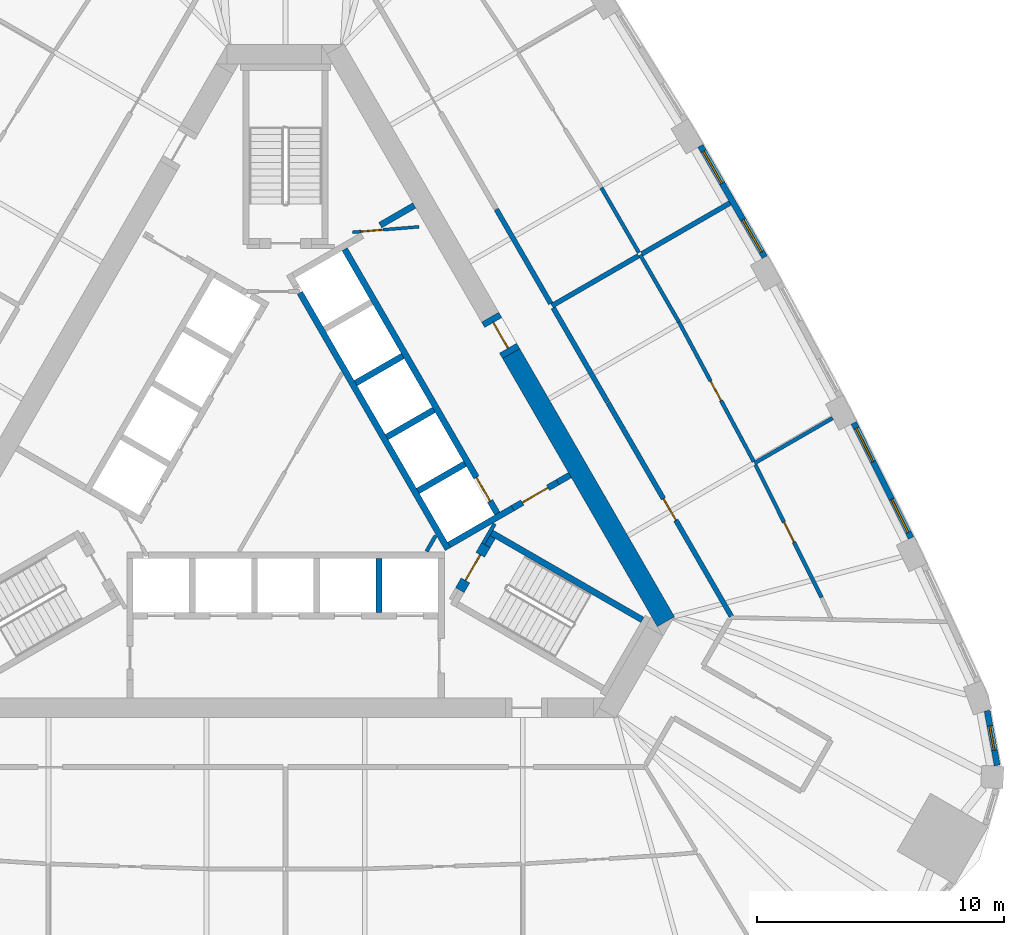
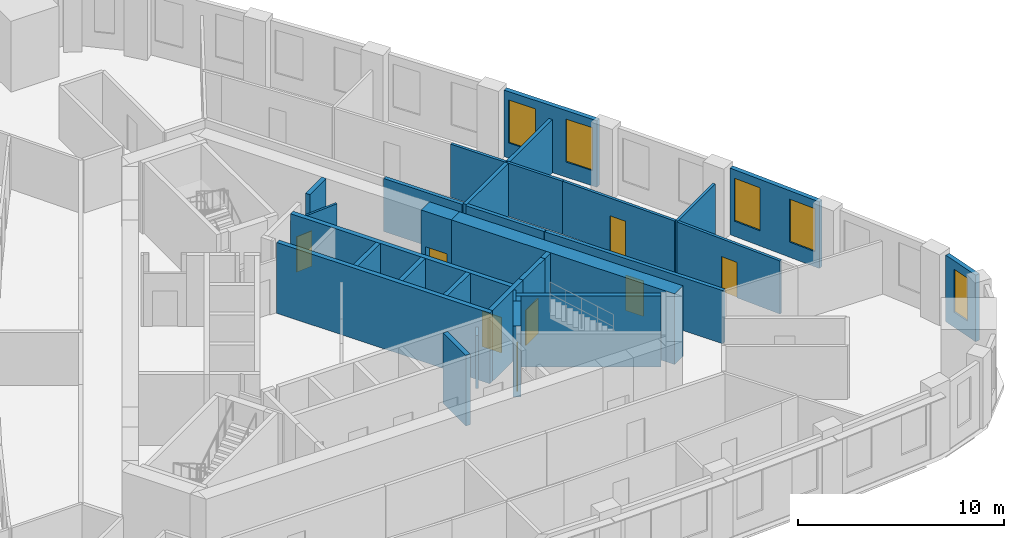
# One storey, part 7 of 10: 31 walls, 8 doors, 5 windows, 13 openings.
"""IFC4 building model written with IfcOpenShell, lengths in metres."""

import ifcopenshell
import ifcopenshell.guid

model = None  # the IFC model being written
_history = None  # IfcOwnerHistory: only IFC2X3 demands one
_inside = {}  # id of a spatial element -> (the spatial element, [elements in it])
_under = {}  # id of a project, library or spatial element -> (it, [spatial elements below it])
_declared = {}  # id of a project -> (the project, [libraries it declares])
_typed = {}  # id of a type object -> (the type object, [elements of that type])
_made_of = {}  # id of a material, layer set ... -> (it, [elements and type objects made of it])


def new_model(schema):
    """Start an empty IFC model of exactly this schema.

    Asked for "IFC4X3", IfcOpenShell would pick the latest addendum, in which some entities
    have other attributes; the version numbers below select the first issue.
    IFC2X3 requires an IfcOwnerHistory on every rooted entity: one is made here for all.
    """
    global model, _history
    if schema == "IFC4X3":
        model = ifcopenshell.file(schema_version=(4, 3, 0, 0))
    else:
        model = ifcopenshell.file(schema=schema)
    _inside.clear()
    _under.clear()
    _declared.clear()
    _typed.clear()
    _made_of.clear()
    _history = None
    if model.schema == "IFC2X3":
        org = make("IfcOrganization", Name="unknown")
        user = make(
            "IfcPersonAndOrganization",
            ThePerson=make("IfcPerson", FamilyName="unknown"),
            TheOrganization=org,
        )
        app = make(
            "IfcApplication",
            ApplicationDeveloper=org,
            Version="unknown",
            ApplicationFullName="unknown",
            ApplicationIdentifier="unknown",
        )
        _history = make(
            "IfcOwnerHistory",
            OwningUser=user,
            OwningApplication=app,
            ChangeAction="ADDED",
            CreationDate=0,
        )
    return model


def make(cls, **values):
    """One entity of the class cls with the attributes given. An attribute that is None is left unset."""
    return model.create_entity(
        cls, **{name: value for name, value in values.items() if value is not None}
    )


def rooted(cls, **values):
    """An entity with a GlobalId (a new one), such as an element, a storey or a relation."""
    return make(cls, GlobalId=ifcopenshell.guid.new(), OwnerHistory=_history, **values)


def si_unit(unit_type, name, prefix=None):
    """IfcSIUnit, for example si_unit("LENGTHUNIT", "METRE", prefix="MILLI")."""
    return make("IfcSIUnit", UnitType=unit_type, Prefix=prefix, Name=name)


def assignment(units):
    """IfcUnitAssignment: the units of a project."""
    return None if units is None else make("IfcUnitAssignment", Units=units)


def point(xyz):
    """IfcCartesianPoint."""
    return None if xyz is None else make("IfcCartesianPoint", Coordinates=xyz)


def direction(xyz):
    """IfcDirection."""
    return None if xyz is None else make("IfcDirection", DirectionRatios=xyz)


def frame(location, z_axis=None, x_axis=None):
    """IfcAxis2Placement3D, a coordinate frame: its origin and axes. An axis left out is left unset."""
    return make(
        "IfcAxis2Placement3D",
        Location=point(location),
        Axis=direction(z_axis),
        RefDirection=direction(x_axis),
    )


def frame_2d(location, x_axis=None):
    """IfcAxis2Placement2D, a coordinate frame in the plane: its origin and x axis."""
    return make(
        "IfcAxis2Placement2D", Location=point(location), RefDirection=direction(x_axis)
    )


def origin():
    """The frame at (0, 0, 0) with its axes left unset."""
    return frame((0.0, 0.0, 0.0))


def place(relative_to, where):
    """IfcLocalPlacement: puts the frame where relative to a parent placement (None: the world)."""
    return make(
        "IfcLocalPlacement", PlacementRelTo=relative_to, RelativePlacement=where
    )


def context(
    kind, dimensions, precision=None, world=None, true_north=None, identifier=None
):
    """IfcGeometricRepresentationContext, for example the 3D "Model" context."""
    return make(
        "IfcGeometricRepresentationContext",
        ContextIdentifier=identifier,
        ContextType=kind,
        CoordinateSpaceDimension=dimensions,
        Precision=precision,
        WorldCoordinateSystem=world,
        TrueNorth=true_north,
    )


def subcontext(parent, identifier, kind, view, scale=None):
    """IfcGeometricRepresentationSubContext, for example "Body" below "Model"."""
    return make(
        "IfcGeometricRepresentationSubContext",
        ContextIdentifier=identifier,
        ContextType=kind,
        ParentContext=parent,
        TargetScale=scale,
        TargetView=view,
    )


def project(units=None, contexts=None):
    """IfcProject with its units and contexts."""
    return rooted(
        "IfcProject",
        Name="project",
        RepresentationContexts=contexts,
        UnitsInContext=assignment(units),
    )


def spatial(cls, under=None, at=None, **own):
    """A site, building, storey or space (cls), placed at a placement, below another one or the project."""
    s = rooted(cls, ObjectPlacement=at, **own)
    if under is not None:
        _under.setdefault(under.id(), (under, []))[1].append(s)
    return s


def profile(cls, at=None, kind="AREA", **sizes):
    """A parametric profile (cls). Its sizes go by their IFC names, for example OverallWidth=200.0."""
    return make(cls, ProfileType=kind, Position=at, **sizes)


def rectangle(**sizes):
    """IfcRectangleProfileDef."""
    return profile("IfcRectangleProfileDef", **sizes)


def extrude(swept, where, along, depth):
    """IfcExtrudedAreaSolid: the profile swept, set in the frame where, extruded along a direction by depth."""
    return make(
        "IfcExtrudedAreaSolid",
        SweptArea=swept,
        Position=where,
        ExtrudedDirection=direction(along),
        Depth=depth,
    )


def shape(context_of_items, identifier, shape_type, items):
    """IfcShapeRepresentation: the items that make up one representation, for example the "Body"."""
    return make(
        "IfcShapeRepresentation",
        ContextOfItems=context_of_items,
        RepresentationIdentifier=identifier,
        RepresentationType=shape_type,
        Items=items,
    )


def material(Name=None, Category=None):
    """IfcMaterial."""
    return make("IfcMaterial", Name=Name, Category=Category)


def layer(
    of_material, thickness, ventilated=None, Name=None, Category=None, Priority=None
):
    """IfcMaterialLayer: one layer of a wall or slab, of a material (None: an air gap)."""
    return make(
        "IfcMaterialLayer",
        Material=of_material,
        LayerThickness=thickness,
        IsVentilated=ventilated,
        Name=Name,
        Category=Category,
        Priority=Priority,
    )


def layer_set(layers, Name=None):
    """IfcMaterialLayerSet."""
    return make("IfcMaterialLayerSet", MaterialLayers=layers, LayerSetName=Name)


def made_of(thing, what):
    """Note that an element or type object is made of a material, layer set ...; save() writes the relation."""
    if what is not None:
        _made_of.setdefault(what.id(), (what, []))[1].append(thing)
    return thing


def type_object(cls, material=None, **own):
    """A type object (cls), such as IfcWallType, which elements share."""
    return made_of(rooted(cls, **own), material)


def element(
    cls,
    number,
    at=None,
    inside=None,
    cuts=None,
    type_object=None,
    material=None,
    context=None,
    identifier="Body",
    shape_type=None,
    held_by="IfcProductDefinitionShape",
    body=None,
    shapes=None,
    **own,
):
    """One element of the class cls, such as IfcWall. Its Tag is "e" and its number.

    at: its placement. inside: the storey or other place that contains it. cuts: it is an
    opening in that element (IfcRelVoidsElement). A single representation is given by context,
    identifier, shape_type and body (its items); several are given by shapes. held_by: the class
    of the entity that holds the representations. save() writes the other relations.
    """
    e = rooted(cls, Tag="e%d" % number, ObjectPlacement=at, **own)
    if body is not None:
        shapes = [shape(context, identifier, shape_type, body)]
    if shapes is not None:
        e.Representation = make(held_by, Representations=shapes)
    if inside is not None:
        _inside.setdefault(inside.id(), (inside, []))[1].append(e)
    if cuts is not None:
        rooted(
            "IfcRelVoidsElement", RelatingBuildingElement=cuts, RelatedOpeningElement=e
        )
    if type_object is not None:
        _typed.setdefault(type_object.id(), (type_object, []))[1].append(e)
    return made_of(e, material)


def fill(opening, filler):
    """IfcRelFillsElement: the door or window that sits in an opening."""
    return rooted(
        "IfcRelFillsElement",
        RelatingOpeningElement=opening,
        RelatedBuildingElement=filler,
    )


def aggregate(whole, parts):
    """IfcRelAggregates: a whole, such as a stair, and the parts it consists of."""
    return rooted("IfcRelAggregates", RelatingObject=whole, RelatedObjects=parts)


def save(model, path):
    """Write the relations noted so far, then the file.

    IfcRelAggregates (storeys below a building ...), IfcRelContainedInSpatialStructure (elements
    in a storey), IfcRelDefinesByType, IfcRelAssociatesMaterial and IfcRelDeclares: one each for
    every whole, place, type object, material and project.
    """
    for whole, parts in _under.values():
        aggregate(whole, parts)
    for where, things in _inside.values():
        rooted(
            "IfcRelContainedInSpatialStructure",
            RelatedElements=things,
            RelatingStructure=where,
        )
    for kind, things in _typed.values():
        rooted("IfcRelDefinesByType", RelatedObjects=things, RelatingType=kind)
    for what, things in _made_of.values():
        rooted("IfcRelAssociatesMaterial", RelatedObjects=things, RelatingMaterial=what)
    for by, libraries in _declared.values():
        rooted("IfcRelDeclares", RelatingContext=by, RelatedDefinitions=libraries)
    model.write(path)


model = new_model("IFC4")

# Units and contexts
model_context = context("Model", 3, precision=1e-05, world=origin(), true_north=direction((0.0, 1.0)))
body_context = subcontext(model_context, "Body", "Model", "MODEL_VIEW")
ifc_project = project(units=[si_unit("LENGTHUNIT", "METRE"), si_unit("AREAUNIT", "SQUARE_METRE"), si_unit("VOLUMEUNIT", "CUBIC_METRE"), si_unit("PLANEANGLEUNIT", "RADIAN"), si_unit("MASSUNIT", "GRAM", prefix="KILO")], contexts=[model_context])

# Site, building, storey
site_placement = place(None, origin())
site = spatial("IfcSite", under=ifc_project, at=site_placement, CompositionType="ELEMENT")
building_placement = place(site_placement, origin())
building = spatial("IfcBuilding", under=site, at=building_placement, Name="Mestral Congress Tower", CompositionType="ELEMENT")
storey_placement = place(building_placement, frame((0.0, 0.0, 158.39990234375)))
storey = spatial("IfcBuildingStorey", under=building, at=storey_placement, Name="L37", CompositionType="ELEMENT", Elevation=158.39990234375)

# Wall
ifc_material_1 = material(Name="Fire-rated board partition")
ifc_layer_1 = layer(ifc_material_1, 0.14990234375)
ifc_layer_set_1 = layer_set([ifc_layer_1], Name="Fire-rated board partition")
wall_type_1 = type_object("IfcWallType", Name="Core partition 150", PredefinedType="PARTITIONING", material=ifc_layer_set_1)
wall_1_placement = place(storey_placement, frame((5.704833984375, -3.718017578125, 0.0), z_axis=(0.0, 0.0, 1.0), x_axis=(0.499962090823, 0.866047289552, 0.0)))
element("IfcWall", 1, at=wall_1_placement, inside=storey, type_object=wall_type_1, Name="L37 core wall", PredefinedType="PARTITIONING", context=body_context, shape_type="SweptSolid", body=[
    extrude(rectangle(XDim=0.73486328125, YDim=0.14990234375, at=frame_2d((0.367431640625, 0.0))), origin(), (0.0, 0.0, 1.0), 3.150146484375),
])

# Wall, opening, door
ifc_layer_2 = layer(ifc_material_1, 0.1201171875)
ifc_layer_set_2 = layer_set([ifc_layer_2], Name="Fire-rated board partition")
wall_type_2 = type_object("IfcWallType", Name="Core partition 150 door-wall 120", PredefinedType="PARTITIONING", material=ifc_layer_set_2)
wall_2_placement = place(storey_placement, frame((5.3984375, 9.418701171875, 0.0), z_axis=(0.0, 0.0, 1.0), x_axis=(-0.996653416376, -0.081743303248, 0.0)))
wall_2 = element("IfcWall", 2, at=wall_2_placement, inside=storey, type_object=wall_type_2, Name="L37 door wall", PredefinedType="PARTITIONING", context=body_context, shape_type="SweptSolid", body=[
    extrude(rectangle(XDim=2.699951171875, YDim=0.119873046875, at=frame_2d((1.35009765625, 0.0))), origin(), (0.0, 0.0, 1.0), 3.150146484375),
])
opening_1_placement = place(wall_2_placement, frame((1.449951171875, 0.0, 0.0)))
opening_1 = element("IfcOpeningElement", 3, at=opening_1_placement, cuts=wall_2, Name="Opening TD2", PredefinedType="OPENING", context=body_context, shape_type="SweptSolid", body=[
    extrude(rectangle(XDim=0.89990234375, YDim=2.10009765625, at=frame_2d((0.449951171875, 1.050048828125))), frame((0.0, 0.06982421875, 0.0), z_axis=(0.0, -1.0, 0.0), x_axis=(1.0, 0.0, 0.0)), (0.0, 0.0, 1.0), 0.139892578125),
])
ifc_material_2 = material(Name="Fire-rated steel door set", Category="steel")
door_type_1 = type_object("IfcDoorType", Name="Core door SR 900x2100", OperationType="SINGLE_SWING_LEFT", PredefinedType="DOOR", material=ifc_material_2)
door_1_placement = place(opening_1_placement, origin())
door_1 = element("IfcDoor", 4, at=door_1_placement, inside=storey, type_object=door_type_1, Name="Door TD2", OperationType="SINGLE_SWING_LEFT", OverallHeight=2.10009765625, OverallWidth=0.89990234375, PredefinedType="DOOR", context=body_context, shape_type="SweptSolid", body=[
    extrude(rectangle(XDim=0.89990234375, YDim=2.10009765625, at=frame_2d((0.449951171875, 1.050048828125))), frame((0.0, 0.02490234375, 0.0), z_axis=(0.0, -1.0, 0.0), x_axis=(1.0, 0.0, 0.0)), (0.0, 0.0, 1.0), 0.050048828125),
])
fill(opening_1, door_1)

# Wall
ifc_material_3 = material(Name="Concrete C60/75", Category="concrete")
ifc_layer_3 = layer(ifc_material_3, 0.800048828125)
ifc_layer_set_3 = layer_set([ifc_layer_3], Name="Concrete C60/75")
wall_type_3 = type_object("IfcWallType", Name="Core wall RC 800", PredefinedType="SOLIDWALL", material=ifc_layer_set_3)
wall_3_placement = place(storey_placement, frame((9.128662109375, 4.288818359375, 0.0), z_axis=(0.0, 0.0, 1.0), x_axis=(0.499995742806, -0.866027861663, 0.0)))
element("IfcWall", 5, at=wall_3_placement, inside=storey, type_object=wall_type_3, Name="L37 core wall", PredefinedType="SOLIDWALL", context=body_context, shape_type="SweptSolid", body=[
    extrude(rectangle(XDim=12.52734375, YDim=0.800048828125, at=frame_2d((6.263671875, 0.0))), origin(), (0.0, 0.0, 1.0), 4.2001953125),
])

# Wall, opening, door
wall_4_placement = place(storey_placement, frame((8.278564453125, 5.760986328125, 0.0), z_axis=(0.0, 0.0, 1.0), x_axis=(0.500062241894, -0.865989465428, 0.0)))
wall_4 = element("IfcWall", 6, at=wall_4_placement, inside=storey, type_object=wall_type_3, Name="L37 door wall", PredefinedType="SOLIDWALL", context=body_context, shape_type="SweptSolid", body=[
    extrude(rectangle(XDim=1.699951171875, YDim=0.800048828125, at=frame_2d((0.85009765625, 0.0))), origin(), (0.0, 0.0, 1.0), 4.2001953125),
])
opening_2_placement = place(wall_4_placement, frame((0.25, 0.0, 0.0)))
opening_2 = element("IfcOpeningElement", 7, at=opening_2_placement, cuts=wall_4, Name="Opening XDL", PredefinedType="OPENING", context=body_context, shape_type="SweptSolid", body=[
    extrude(rectangle(XDim=1.199951171875, YDim=2.10009765625, at=frame_2d((0.60009765625, 1.050048828125))), frame((0.0, 0.409912109375, 0.0), z_axis=(0.0, -1.0, 0.0), x_axis=(1.0, 0.0, 0.0)), (0.0, 0.0, 1.0), 0.820068359375),
])
door_type_2 = type_object("IfcDoorType", Name="Core door XD 1200x2100", OperationType="SINGLE_SWING_LEFT", PredefinedType="DOOR", material=ifc_material_2)
door_2_placement = place(opening_2_placement, origin())
door_2 = element("IfcDoor", 8, at=door_2_placement, inside=storey, type_object=door_type_2, Name="Door XDL", OperationType="SINGLE_SWING_LEFT", OverallHeight=2.10009765625, OverallWidth=1.199951171875, PredefinedType="DOOR", context=body_context, shape_type="SweptSolid", body=[
    extrude(rectangle(XDim=1.199951171875, YDim=2.10009765625, at=frame_2d((0.60009765625, 1.050048828125))), frame((0.0, 0.02490234375, 0.0), z_axis=(0.0, -1.0, 0.0), x_axis=(1.0, 0.0, 0.0)), (0.0, 0.0, 1.0), 0.050048828125),
])
fill(opening_2, door_2)

# Wall, opening, window
ifc_material_4 = material(Name="Precast concrete C40/50 with limestone facing", Category="masonry")
ifc_layer_4 = layer(ifc_material_4, 0.239990234375)
ifc_layer_set_4 = layer_set([ifc_layer_4], Name="Precast concrete C40/50 with limestone facing")
wall_type_4 = type_object("IfcWallType", Name="Facade stone wall 240", PredefinedType="SOLIDWALL", material=ifc_layer_set_4)
wall_5_placement = place(storey_placement, frame((28.79931640625, -12.380126953125, 0.0), z_axis=(0.0, 0.0, 1.0), x_axis=(-0.180737189259, 0.983531427265, 0.0)))
wall_5 = element("IfcWall", 9, at=wall_5_placement, inside=storey, type_object=wall_type_4, Name="Facade wall K0-3", PredefinedType="SOLIDWALL", context=body_context, shape_type="SweptSolid", body=[
    extrude(rectangle(XDim=2.25048828125, YDim=0.239990234375, at=frame_2d((1.125244140625, 0.0))), origin(), (0.0, 0.0, 1.0), 3.9501953125),
])
opening_3_placement = place(wall_5_placement, frame((0.625244140625, 0.0, 0.89990234375)))
opening_3 = element("IfcOpeningElement", 10, at=opening_3_placement, cuts=wall_5, Name="Opening W5", PredefinedType="OPENING", context=body_context, shape_type="SweptSolid", body=[
    extrude(rectangle(XDim=1.0, YDim=2.550048828125, at=frame_2d((0.5, 1.27490234375))), frame((0.0, 0.1298828125, 0.0), z_axis=(0.0, -1.0, 0.0), x_axis=(1.0, 0.0, 0.0)), (0.0, 0.0, 1.0), 0.260009765625),
])
ifc_material_5 = material(Name="Clear low-emissivity double glazing", Category="glass")
window_type_1 = type_object("IfcWindowType", Name="Facade punched window 1000 x 2550 sill 900", PartitioningType="SINGLE_PANEL", PredefinedType="WINDOW", material=ifc_material_5)
window_1_placement = place(opening_3_placement, origin())
window_1 = element("IfcWindow", 11, at=window_1_placement, inside=storey, type_object=window_type_1, Name="Window K0-3", OverallHeight=2.550048828125, OverallWidth=1.0, PartitioningType="SINGLE_PANEL", PredefinedType="WINDOW", context=body_context, shape_type="SweptSolid", body=[
    extrude(rectangle(XDim=1.0, YDim=2.550048828125, at=frame_2d((0.5, 1.27490234375))), frame((0.0, 0.0400390625, 0.0), z_axis=(0.0, -1.0, 0.0), x_axis=(1.0, 0.0, 0.0)), (0.0, 0.0, 1.0), 0.06005859375),
])
fill(opening_3, window_1)

# Wall, openings, windows
wall_6_placement = place(storey_placement, frame((25.31591796875, -3.17138671875, 0.0), z_axis=(0.0, 0.0, 1.0), x_axis=(-0.446256171312, 0.8949052629, 0.0)))
wall_6 = element("IfcWall", 12, at=wall_6_placement, inside=storey, type_object=wall_type_4, Name="Facade wall F1-01", PredefinedType="SOLIDWALL", context=body_context, shape_type="SweptSolid", body=[
    extrude(rectangle(XDim=5.203369140625, YDim=0.239990234375, at=frame_2d((2.6015625, 0.0))), origin(), (0.0, 0.0, 1.0), 3.9501953125),
])
opening_4_placement = place(wall_6_placement, frame((0.248291015625, 0.0, 0.89990234375)))
opening_4 = element("IfcOpeningElement", 13, at=opening_4_placement, cuts=wall_6, Name="Opening W4", PredefinedType="OPENING", context=body_context, shape_type="SweptSolid", body=[
    extrude(rectangle(XDim=1.5, YDim=2.550048828125, at=frame_2d((0.75, 1.27490234375))), frame((0.0, 0.1298828125, 0.0), z_axis=(0.0, -1.0, 0.0), x_axis=(1.0, 0.0, 0.0)), (0.0, 0.0, 1.0), 0.260009765625),
])
opening_5_placement = place(wall_6_placement, frame((3.455078125, 0.0, 0.89990234375)))
opening_5 = element("IfcOpeningElement", 14, at=opening_5_placement, cuts=wall_6, Name="Opening W4", PredefinedType="OPENING", context=body_context, shape_type="SweptSolid", body=[
    extrude(rectangle(XDim=1.5, YDim=2.550048828125, at=frame_2d((0.75, 1.27490234375))), frame((0.0, 0.1298828125, 0.0), z_axis=(0.0, -1.0, 0.0), x_axis=(1.0, 0.0, 0.0)), (0.0, 0.0, 1.0), 0.260009765625),
])
window_type_2 = type_object("IfcWindowType", Name="Facade punched window 1500 x 2550 sill 900", PartitioningType="SINGLE_PANEL", PredefinedType="WINDOW", material=ifc_material_5)
window_2_placement = place(opening_4_placement, origin())
window_2 = element("IfcWindow", 15, at=window_2_placement, inside=storey, type_object=window_type_2, Name="Window F1-01a", OverallHeight=2.550048828125, OverallWidth=1.5, PartitioningType="SINGLE_PANEL", PredefinedType="WINDOW", context=body_context, shape_type="SweptSolid", body=[
    extrude(rectangle(XDim=1.5, YDim=2.550048828125, at=frame_2d((0.75, 1.27490234375))), frame((0.0, 0.0400390625, 0.0), z_axis=(0.0, -1.0, 0.0), x_axis=(1.0, 0.0, 0.0)), (0.0, 0.0, 1.0), 0.06005859375),
])
fill(opening_4, window_2)
window_3_placement = place(opening_5_placement, origin())
window_3 = element("IfcWindow", 16, at=window_3_placement, inside=storey, type_object=window_type_2, Name="Window F1-01b", OverallHeight=2.550048828125, OverallWidth=1.5, PartitioningType="SINGLE_PANEL", PredefinedType="WINDOW", context=body_context, shape_type="SweptSolid", body=[
    extrude(rectangle(XDim=1.5, YDim=2.550048828125, at=frame_2d((0.75, 1.27490234375))), frame((0.0, 0.0400390625, 0.0), z_axis=(0.0, -1.0, 0.0), x_axis=(1.0, 0.0, 0.0)), (0.0, 0.0, 1.0), 0.06005859375),
])
fill(opening_5, window_3)

wall_7_placement = place(storey_placement, frame((19.390625, 8.19091796875, 0.0), z_axis=(0.0, 0.0, 1.0), x_axis=(-0.500009456303, 0.866019944116, 0.0)))
wall_7 = element("IfcWall", 17, at=wall_7_placement, inside=storey, type_object=wall_type_4, Name="Facade wall F1-03", PredefinedType="SOLIDWALL", context=body_context, shape_type="SweptSolid", body=[
    extrude(rectangle(XDim=5.20361328125, YDim=0.239990234375, at=frame_2d((2.601806640625, 0.0))), origin(), (0.0, 0.0, 1.0), 3.9501953125),
])
opening_6_placement = place(wall_7_placement, frame((0.248291015625, 0.0, 0.89990234375)))
opening_6 = element("IfcOpeningElement", 18, at=opening_6_placement, cuts=wall_7, Name="Opening W4", PredefinedType="OPENING", context=body_context, shape_type="SweptSolid", body=[
    extrude(rectangle(XDim=1.5, YDim=2.550048828125, at=frame_2d((0.75, 1.27490234375))), frame((0.0, 0.1298828125, 0.0), z_axis=(0.0, -1.0, 0.0), x_axis=(1.0, 0.0, 0.0)), (0.0, 0.0, 1.0), 0.260009765625),
])
opening_7_placement = place(wall_7_placement, frame((3.455078125, 0.0, 0.89990234375)))
opening_7 = element("IfcOpeningElement", 19, at=opening_7_placement, cuts=wall_7, Name="Opening W4", PredefinedType="OPENING", context=body_context, shape_type="SweptSolid", body=[
    extrude(rectangle(XDim=1.5, YDim=2.550048828125, at=frame_2d((0.75, 1.27490234375))), frame((0.0, 0.1298828125, 0.0), z_axis=(0.0, -1.0, 0.0), x_axis=(1.0, 0.0, 0.0)), (0.0, 0.0, 1.0), 0.260009765625),
])
window_4_placement = place(opening_6_placement, origin())
window_4 = element("IfcWindow", 20, at=window_4_placement, inside=storey, type_object=window_type_2, Name="Window F1-03a", OverallHeight=2.550048828125, OverallWidth=1.5, PartitioningType="SINGLE_PANEL", PredefinedType="WINDOW", context=body_context, shape_type="SweptSolid", body=[
    extrude(rectangle(XDim=1.5, YDim=2.550048828125, at=frame_2d((0.75, 1.27490234375))), frame((0.0, 0.0400390625, 0.0), z_axis=(0.0, -1.0, 0.0), x_axis=(1.0, 0.0, 0.0)), (0.0, 0.0, 1.0), 0.06005859375),
])
fill(opening_6, window_4)
window_5_placement = place(opening_7_placement, origin())
window_5 = element("IfcWindow", 21, at=window_5_placement, inside=storey, type_object=window_type_2, Name="Window F1-03b", OverallHeight=2.550048828125, OverallWidth=1.5, PartitioningType="SINGLE_PANEL", PredefinedType="WINDOW", context=body_context, shape_type="SweptSolid", body=[
    extrude(rectangle(XDim=1.5, YDim=2.550048828125, at=frame_2d((0.75, 1.27490234375))), frame((0.0, 0.0400390625, 0.0), z_axis=(0.0, -1.0, 0.0), x_axis=(1.0, 0.0, 0.0)), (0.0, 0.0, 1.0), 0.06005859375),
])
fill(opening_7, window_5)

# Wall
ifc_material_6 = material(Name="Plasterboard partition on steel studs", Category="steel")
ifc_layer_5 = layer(ifc_material_6, 0.14990234375)
ifc_layer_set_5 = layer_set([ifc_layer_5], Name="Plasterboard partition on steel studs")
wall_type_5 = type_object("IfcWallType", Name="Office partition 150", PredefinedType="PARTITIONING", material=ifc_layer_set_5)
wall_8_placement = place(storey_placement, frame((18.980224609375, -0.146728515625, 0.0), z_axis=(0.0, 0.0, 1.0), x_axis=(0.866035116605, 0.499983176524, 0.0)))
element("IfcWall", 22, at=wall_8_placement, inside=storey, type_object=wall_type_5, Name="Partition", PredefinedType="PARTITIONING", context=body_context, shape_type="SweptSolid", body=[
    extrude(rectangle(XDim=3.647705078125, YDim=0.14990234375, at=frame_2d((1.82373046875, 0.0))), origin(), (0.0, 0.0, 1.0), 3.150146484375),
])

# Wall, opening, door
wall_9_placement = place(storey_placement, frame((19.013916015625, -0.2138671875, 0.0), z_axis=(0.0, 0.0, 1.0), x_axis=(0.446219729364, -0.894923434225, 0.0)))
wall_9 = element("IfcWall", 23, at=wall_9_placement, inside=storey, type_object=wall_type_5, Name="Partition", PredefinedType="PARTITIONING", context=body_context, shape_type="SweptSolid", body=[
    extrude(rectangle(XDim=5.995361328125, YDim=0.14990234375, at=frame_2d((2.99755859375, 0.0))), origin(), (0.0, 0.0, 1.0), 3.150146484375),
])
opening_8_placement = place(wall_9_placement, frame((2.595458984375, 0.0, 0.0)))
opening_8 = element("IfcOpeningElement", 24, at=opening_8_placement, cuts=wall_9, Name="Opening O02-005", PredefinedType="OPENING", context=body_context, shape_type="SweptSolid", body=[
    extrude(rectangle(XDim=0.89990234375, YDim=2.10009765625, at=frame_2d((0.449951171875, 1.050048828125))), frame((0.0, 0.0849609375, 0.0), z_axis=(0.0, -1.0, 0.0), x_axis=(1.0, 0.0, 0.0)), (0.0, 0.0, 1.0), 0.169921875),
])
ifc_material_7 = material(Name="Timber door set", Category="wood")
door_type_3 = type_object("IfcDoorType", Name="Office door 900x2100", OperationType="SINGLE_SWING_LEFT", PredefinedType="DOOR", material=ifc_material_7)
door_3_placement = place(opening_8_placement, origin())
door_3 = element("IfcDoor", 25, at=door_3_placement, inside=storey, type_object=door_type_3, Name="Door O02-005", OperationType="SINGLE_SWING_RIGHT", OverallHeight=2.10009765625, OverallWidth=0.89990234375, PredefinedType="DOOR", context=body_context, shape_type="SweptSolid", body=[
    extrude(rectangle(XDim=0.89990234375, YDim=2.10009765625, at=frame_2d((0.449951171875, 1.050048828125))), frame((0.0, 0.02490234375, 0.0), z_axis=(0.0, -1.0, 0.0), x_axis=(1.0, 0.0, 0.0)), (0.0, 0.0, 1.0), 0.050048828125),
])
fill(opening_8, door_3)

wall_10_placement = place(storey_placement, frame((15.91748046875, 5.56640625, 0.0), z_axis=(0.0, 0.0, 1.0), x_axis=(0.472485737981, -0.881338316088, 0.0)))
wall_10 = element("IfcWall", 26, at=wall_10_placement, inside=storey, type_object=wall_type_5, Name="Partition", PredefinedType="PARTITIONING", context=body_context, shape_type="SweptSolid", body=[
    extrude(rectangle(XDim=6.4072265625, YDim=0.14990234375, at=frame_2d((3.20361328125, 0.0))), origin(), (0.0, 0.0, 1.0), 3.150146484375),
])
opening_9_placement = place(wall_10_placement, frame((2.70703125, 0.0, 0.0)))
opening_9 = element("IfcOpeningElement", 27, at=opening_9_placement, cuts=wall_10, Name="Opening O02-006", PredefinedType="OPENING", context=body_context, shape_type="SweptSolid", body=[
    extrude(rectangle(XDim=0.89990234375, YDim=2.10009765625, at=frame_2d((0.449951171875, 1.050048828125))), frame((0.0, 0.0849609375, 0.0), z_axis=(0.0, -1.0, 0.0), x_axis=(1.0, 0.0, 0.0)), (0.0, 0.0, 1.0), 0.169921875),
])
door_4_placement = place(opening_9_placement, origin())
door_4 = element("IfcDoor", 28, at=door_4_placement, inside=storey, type_object=door_type_3, Name="Door O02-006", OperationType="SINGLE_SWING_LEFT", OverallHeight=2.10009765625, OverallWidth=0.89990234375, PredefinedType="DOOR", context=body_context, shape_type="SweptSolid", body=[
    extrude(rectangle(XDim=0.89990234375, YDim=2.10009765625, at=frame_2d((0.449951171875, 1.050048828125))), frame((0.0, 0.02490234375, 0.0), z_axis=(0.0, -1.0, 0.0), x_axis=(1.0, 0.0, 0.0)), (0.0, 0.0, 1.0), 0.050048828125),
])
fill(opening_9, door_4)

# Walls
wall_11_placement = place(storey_placement, frame((15.91748046875, 5.56640625, 0.0), z_axis=(0.0, 0.0, 1.0), x_axis=(-0.499996312652, 0.866027532665, 0.0)))
element("IfcWall", 29, at=wall_11_placement, inside=storey, type_object=wall_type_5, Name="Partition", PredefinedType="PARTITIONING", context=body_context, shape_type="SweptSolid", body=[
    extrude(rectangle(XDim=3.13818359375, YDim=0.14990234375, at=frame_2d((1.569091796875, 0.0))), origin(), (0.0, 0.0, 1.0), 3.150146484375),
])
wall_12_placement = place(storey_placement, frame((14.298583984375, 8.37060546875, 0.0), z_axis=(0.0, 0.0, 1.0), x_axis=(-0.500019211527, 0.86601431172, 0.0)))
element("IfcWall", 30, at=wall_12_placement, inside=storey, type_object=wall_type_5, Name="Partition", PredefinedType="PARTITIONING", context=body_context, shape_type="SweptSolid", body=[
    extrude(rectangle(XDim=3.03857421875, YDim=0.14990234375, at=frame_2d((1.519287109375, 0.0))), origin(), (0.0, 0.0, 1.0), 3.150146484375),
])
ifc_material_8 = material(Name="Dense masonry wall, plastered", Category="masonry")
ifc_layer_6 = layer(ifc_material_8, 0.199951171875)
ifc_layer_set_6 = layer_set([ifc_layer_6], Name="Dense masonry wall, plastered")
wall_type_6 = type_object("IfcWallType", Name="Office tenancy wall 200", PredefinedType="PARTITIONING", material=ifc_layer_set_6)
wall_13_placement = place(storey_placement, frame((14.413330078125, 8.321533203125, 0.0), z_axis=(0.0, 0.0, 1.0), x_axis=(0.866034795751, 0.499983732284, 0.0)))
element("IfcWall", 31, at=wall_13_placement, inside=storey, type_object=wall_type_6, Name="Tenancy wall", PredefinedType="PARTITIONING", context=body_context, shape_type="SweptSolid", body=[
    extrude(rectangle(XDim=4.125244140625, YDim=0.199951171875, at=frame_2d((2.0625, 0.0))), origin(), (0.0, 0.0, 1.0), 3.150146484375),
])
wall_14_placement = place(storey_placement, frame((10.781982421875, 6.22509765625, 0.0), z_axis=(0.0, 0.0, 1.0), x_axis=(0.866034752867, 0.499983806564, 0.0)))
element("IfcWall", 32, at=wall_14_placement, inside=storey, type_object=wall_type_6, Name="Tenancy wall", PredefinedType="PARTITIONING", context=body_context, shape_type="SweptSolid", body=[
    extrude(rectangle(XDim=4.043212890625, YDim=0.199951171875, at=frame_2d((2.021484375, 0.0))), origin(), (0.0, 0.0, 1.0), 3.150146484375),
])
wall_15_placement = place(storey_placement, frame((13.031982421875, 2.327880859375, 0.0), z_axis=(0.0, 0.0, 1.0), x_axis=(-0.499988222896, 0.866032203192, 0.0)))
element("IfcWall", 33, at=wall_15_placement, inside=storey, type_object=wall_type_6, Name="Tenancy wall", PredefinedType="PARTITIONING", context=body_context, shape_type="SweptSolid", body=[
    extrude(rectangle(XDim=4.39990234375, YDim=0.199951171875, at=frame_2d((2.199951171875, 0.0))), origin(), (0.0, 0.0, 1.0), 3.150146484375),
])

# Wall, opening, door
wall_16_placement = place(storey_placement, frame((18.042236328125, -6.35009765625, 0.0), z_axis=(0.0, 0.0, 1.0), x_axis=(-0.499986873641, 0.866032982159, 0.0)))
wall_16 = element("IfcWall", 34, at=wall_16_placement, inside=storey, type_object=wall_type_6, Name="Tenancy wall", PredefinedType="PARTITIONING", context=body_context, shape_type="SweptSolid", body=[
    extrude(rectangle(XDim=9.990478515625, YDim=0.199951171875, at=frame_2d((4.9951171875, 0.0))), origin(), (0.0, 0.0, 1.0), 3.150146484375),
])
opening_10_placement = place(wall_16_placement, frame((4.5, 0.0, 0.0)))
opening_10 = element("IfcOpeningElement", 35, at=opening_10_placement, cuts=wall_16, Name="Opening O02-007", PredefinedType="OPENING", context=body_context, shape_type="SweptSolid", body=[
    extrude(rectangle(XDim=1.0, YDim=2.10009765625, at=frame_2d((0.5, 1.050048828125))), frame((0.0, 0.10986328125, 0.0), z_axis=(0.0, -1.0, 0.0), x_axis=(1.0, 0.0, 0.0)), (0.0, 0.0, 1.0), 0.219970703125),
])
ifc_material_9 = material(Name="Fire-rated timber door set", Category="wood")
door_type_4 = type_object("IfcDoorType", Name="Office tenancy entrance door 1000x2100", OperationType="SINGLE_SWING_LEFT", PredefinedType="DOOR", material=ifc_material_9)
door_5_placement = place(opening_10_placement, origin())
door_5 = element("IfcDoor", 36, at=door_5_placement, inside=storey, type_object=door_type_4, Name="Door O02-007", OperationType="SINGLE_SWING_RIGHT", OverallHeight=2.10009765625, OverallWidth=1.0, PredefinedType="DOOR", context=body_context, shape_type="SweptSolid", body=[
    extrude(rectangle(XDim=1.0, YDim=2.10009765625, at=frame_2d((0.5, 1.050048828125))), frame((0.0, 0.02490234375, 0.0), z_axis=(0.0, -1.0, 0.0), x_axis=(1.0, 0.0, 0.0)), (0.0, 0.0, 1.0), 0.050048828125),
])
fill(opening_10, door_5)

# Walls
wall_17_placement = place(storey_placement, frame((10.73193359375, 6.3115234375, 0.0), z_axis=(0.0, 0.0, 1.0), x_axis=(-0.499984786451, 0.866034187153, 0.0)))
element("IfcWall", 37, at=wall_17_placement, inside=storey, type_object=wall_type_6, Name="Tenancy wall", PredefinedType="PARTITIONING", context=body_context, shape_type="SweptSolid", body=[
    extrude(rectangle(XDim=4.404052734375, YDim=0.199951171875, at=frame_2d((2.2021484375, 0.0))), origin(), (0.0, 0.0, 1.0), 3.150146484375),
])
ifc_layer_7 = layer(ifc_material_3, 0.25)
ifc_layer_set_7 = layer_set([ifc_layer_7], Name="Concrete C60/75")
wall_type_7 = type_object("IfcWallType", Name="Shaft wall RC 250", PredefinedType="SOLIDWALL", material=ifc_layer_set_7)
wall_18_placement = place(storey_placement, frame((3.780029296875, -4.0, 0.0), z_axis=(0.0, 0.0, 1.0), x_axis=(0.0, -1.0, 0.0)))
element("IfcWall", 38, at=wall_18_placement, inside=storey, type_object=wall_type_7, Name="L37 core wall", PredefinedType="SOLIDWALL", context=body_context, shape_type="SweptSolid", body=[
    extrude(rectangle(XDim=2.199951171875, YDim=0.25, at=frame_2d((1.10009765625, 0.0))), origin(), (0.0, 0.0, 1.0), 4.2001953125),
])
wall_19_placement = place(storey_placement, frame((11.507080078125, -0.631103515625, 0.0), z_axis=(0.0, 0.0, 1.0), x_axis=(-0.866093731455, -0.499881634324, 0.0)))
element("IfcWall", 39, at=wall_19_placement, inside=storey, type_object=wall_type_7, Name="L37 core wall", PredefinedType="SOLIDWALL", context=body_context, shape_type="SweptSolid", body=[
    extrude(rectangle(XDim=0.575439453125, YDim=0.25, at=frame_2d((0.28759765625, 0.0))), origin(), (0.0, 0.0, 1.0), 4.2001953125),
])
wall_20_placement = place(storey_placement, frame((6.568359375, -3.626708984375, 0.0), z_axis=(0.0, 0.0, 1.0), x_axis=(-0.499999455981, 0.866025717874, 0.0)))
element("IfcWall", 40, at=wall_20_placement, inside=storey, type_object=wall_type_7, Name="L37 core wall", PredefinedType="SOLIDWALL", context=body_context, shape_type="SweptSolid", body=[
    extrude(rectangle(XDim=11.97802734375, YDim=0.25, at=frame_2d((5.989013671875, 0.0))), origin(), (0.0, 0.0, 1.0), 4.2001953125),
])
for number, where, z_axis, x_axis, name in (
    (41, (2.833984375, 3.091064453125, 0.0), (0.0, 0.0, 1.0), (0.866008176907, 0.50002983664, 0.0), "L37 core wall"),
    (42, (4.093994140625, 0.90869140625, 0.0), (0.0, 0.0, 1.0), (0.866008176907, 0.50002983664, 0.0), "L37 core wall"),
    (43, (5.35400390625, -1.273681640625, 0.0), (0.0, 0.0, 1.0), (0.866008176907, 0.50002983664, 0.0), "L37 core wall"),
):
    element("IfcWall", number, at=place(storey_placement, frame(where, z_axis=z_axis, x_axis=x_axis)), inside=storey, type_object=wall_type_7, Name=name, PredefinedType="SOLIDWALL", context=body_context, shape_type="SweptSolid", body=[
        extrude(rectangle(XDim=2.199951171875, YDim=0.25, at=frame_2d((1.10009765625, 0.0))), origin(), (0.0, 0.0, 1.0), 4.2001953125),
    ])
wall_21_placement = place(storey_placement, frame((6.614013671875, -3.4560546875, 0.0), z_axis=(0.0, 0.0, 1.0), x_axis=(0.866032512851, 0.499987686533, 0.0)))
element("IfcWall", 44, at=wall_21_placement, inside=storey, type_object=wall_type_7, Name="L37 core wall", PredefinedType="SOLIDWALL", context=body_context, shape_type="SweptSolid", body=[
    extrude(rectangle(XDim=2.974609375, YDim=0.25, at=frame_2d((1.4873046875, 0.0))), origin(), (0.0, 0.0, 1.0), 4.2001953125),
])
wall_22_placement = place(storey_placement, frame((3.82958984375, 9.485595703125, 0.0), z_axis=(0.0, 0.0, 1.0), x_axis=(0.865986202621, 0.500067892261, 0.0)))
element("IfcWall", 45, at=wall_22_placement, inside=storey, type_object=wall_type_7, Name="L37 core wall", PredefinedType="SOLIDWALL", context=body_context, shape_type="SweptSolid", body=[
    extrude(rectangle(XDim=1.590576171875, YDim=0.25, at=frame_2d((0.79541015625, 0.0))), origin(), (0.0, 0.0, 1.0), 4.2001953125),
])

# Wall, opening, door
wall_23_placement = place(storey_placement, frame((8.565185546875, -2.185302734375, 0.0), z_axis=(0.0, 0.0, 1.0), x_axis=(-0.499997954832, 0.866026584559, 0.0)))
wall_23 = element("IfcWall", 46, at=wall_23_placement, inside=storey, type_object=wall_type_7, Name="L37 door wall", PredefinedType="SOLIDWALL", context=body_context, shape_type="SweptSolid", body=[
    extrude(rectangle(XDim=12.35009765625, YDim=0.25, at=frame_2d((6.175048828125, 0.0))), origin(), (0.0, 0.0, 1.0), 4.2001953125),
])
opening_11_placement = place(wall_23_placement, frame((0.5849609375, 0.0, 0.0)))
opening_11 = element("IfcOpeningElement", 47, at=opening_11_placement, cuts=wall_23, Name="Opening LD-NEB1", PredefinedType="OPENING", context=body_context, shape_type="SweptSolid", body=[
    extrude(rectangle(XDim=1.10009765625, YDim=2.10009765625, at=frame_2d((0.550048828125, 1.050048828125))), frame((0.0, 0.135009765625, 0.0), z_axis=(0.0, -1.0, 0.0), x_axis=(1.0, 0.0, 0.0)), (0.0, 0.0, 1.0), 0.27001953125),
])
door_type_5 = type_object("IfcDoorType", Name="Core door LD 1100x2100", OperationType="DOUBLE_DOOR_SLIDING", PredefinedType="DOOR", material=ifc_material_2)
door_6_placement = place(opening_11_placement, origin())
door_6 = element("IfcDoor", 48, at=door_6_placement, inside=storey, type_object=door_type_5, Name="Door LD-NEB1", OperationType="DOUBLE_DOOR_SLIDING", OverallHeight=2.10009765625, OverallWidth=1.10009765625, PredefinedType="DOOR", context=body_context, shape_type="SweptSolid", body=[
    extrude(rectangle(XDim=1.10009765625, YDim=2.10009765625, at=frame_2d((0.550048828125, 1.050048828125))), frame((0.0, 0.02490234375, 0.0), z_axis=(0.0, -1.0, 0.0), x_axis=(1.0, 0.0, 0.0)), (0.0, 0.0, 1.0), 0.050048828125),
])
fill(opening_11, door_6)

wall_24_placement = place(storey_placement, frame((11.0087890625, -0.918701171875, 0.0), z_axis=(0.0, 0.0, 1.0), x_axis=(-0.866059744384, -0.49994051562, 0.0)))
wall_24 = element("IfcWall", 49, at=wall_24_placement, inside=storey, type_object=wall_type_7, Name="L37 door wall", PredefinedType="SOLIDWALL", context=body_context, shape_type="SweptSolid", body=[
    extrude(rectangle(XDim=2.099853515625, YDim=0.25, at=frame_2d((1.0498046875, 0.0))), origin(), (0.0, 0.0, 1.0), 4.2001953125),
])
opening_12_placement = place(wall_24_placement, frame((0.449951171875, 0.0, 0.0)))
opening_12 = element("IfcOpeningElement", 50, at=opening_12_placement, cuts=wall_24, Name="Opening LB1-PX10", PredefinedType="OPENING", context=body_context, shape_type="SweptSolid", body=[
    extrude(rectangle(XDim=1.199951171875, YDim=2.10009765625, at=frame_2d((0.60009765625, 1.050048828125))), frame((0.0, 0.135009765625, 0.0), z_axis=(0.0, -1.0, 0.0), x_axis=(1.0, 0.0, 0.0)), (0.0, 0.0, 1.0), 0.27001953125),
])
door_type_6 = type_object("IfcDoorType", Name="Core door LB 1200x2100", OperationType="SINGLE_SWING_LEFT", PredefinedType="DOOR", material=ifc_material_2)
door_7_placement = place(opening_12_placement, origin())
door_7 = element("IfcDoor", 51, at=door_7_placement, inside=storey, type_object=door_type_6, Name="Door LB1-PX10", OperationType="SINGLE_SWING_LEFT", OverallHeight=2.10009765625, OverallWidth=1.199951171875, PredefinedType="DOOR", context=body_context, shape_type="SweptSolid", body=[
    extrude(rectangle(XDim=1.199951171875, YDim=2.10009765625, at=frame_2d((0.60009765625, 1.050048828125))), frame((0.0, 0.02490234375, 0.0), z_axis=(0.0, -1.0, 0.0), x_axis=(1.0, 0.0, 0.0)), (0.0, 0.0, 1.0), 0.050048828125),
])
fill(opening_12, door_7)

# Walls
ifc_layer_8 = layer(ifc_material_3, 0.14990234375)
ifc_layer_set_8 = layer_set([ifc_layer_8], Name="Concrete C60/75")
wall_type_8 = type_object("IfcWallType", Name="Shaft wall RC 250 door-wall 150", PredefinedType="SOLIDWALL", material=ifc_layer_set_8)
wall_25_placement = place(storey_placement, frame((8.459228515625, -2.59912109375, 0.0), z_axis=(0.0, 0.0, 1.0), x_axis=(-0.500041054325, -0.866001699761, 0.0)))
element("IfcWall", 52, at=wall_25_placement, inside=storey, type_object=wall_type_8, Name="L37 core wall", PredefinedType="PARTITIONING", context=body_context, shape_type="SweptSolid", body=[
    extrude(rectangle(XDim=0.9287109375, YDim=0.14990234375, at=frame_2d((0.46435546875, 0.0))), origin(), (0.0, 0.0, 1.0), 4.2001953125),
])
ifc_layer_9 = layer(ifc_material_3, 0.25)
ifc_layer_set_9 = layer_set([ifc_layer_9], Name="Concrete C60/75")
wall_type_9 = type_object("IfcWallType", Name="Stair wall RC 250", PredefinedType="SOLIDWALL", material=ifc_layer_set_9)
wall_26_placement = place(storey_placement, frame((8.33447265625, -2.96435546875, 0.0), z_axis=(0.0, 0.0, 1.0), x_axis=(0.866016039709, -0.500016218704, 0.0)))
element("IfcWall", 53, at=wall_26_placement, inside=storey, type_object=wall_type_9, Name="L37 core wall", PredefinedType="SOLIDWALL", context=body_context, shape_type="SweptSolid", body=[
    extrude(rectangle(XDim=7.050048828125, YDim=0.25, at=frame_2d((3.52490234375, 0.0))), origin(), (0.0, 0.0, 1.0), 4.2001953125),
])
wall_27_placement = place(storey_placement, frame((8.167724609375, -3.503173828125, 0.0), z_axis=(0.0, 0.0, 1.0), x_axis=(0.49972245349, 0.866185586049, 0.0)))
element("IfcWall", 54, at=wall_27_placement, inside=storey, type_object=wall_type_9, Name="L37 core wall", PredefinedType="SOLIDWALL", context=body_context, shape_type="SweptSolid", body=[
    extrude(rectangle(XDim=0.425048828125, YDim=0.25, at=frame_2d((0.21240234375, 0.0))), origin(), (0.0, 0.0, 1.0), 4.2001953125),
])

# Wall, opening, door
ifc_layer_10 = layer(ifc_material_3, 0.39990234375)
ifc_layer_set_10 = layer_set([ifc_layer_10], Name="Concrete C60/75")
wall_type_10 = type_object("IfcWallType", Name="Stair wall RC 250 door-wall 400", PredefinedType="SOLIDWALL", material=ifc_layer_set_10)
wall_28_placement = place(storey_placement, frame((7.052734375, -5.2841796875, 0.0), z_axis=(0.0, 0.0, 1.0), x_axis=(0.500078061341, 0.865980330357, 0.0)))
wall_28 = element("IfcWall", 55, at=wall_28_placement, inside=storey, type_object=wall_type_10, Name="L37 door wall", PredefinedType="SOLIDWALL", context=body_context, shape_type="SweptSolid", body=[
    extrude(rectangle(XDim=2.099853515625, YDim=0.39990234375, at=frame_2d((1.0498046875, 0.0))), origin(), (0.0, 0.0, 1.0), 4.2001953125),
])
opening_13_placement = place(wall_28_placement, frame((0.449951171875, 0.0, 0.0)))
opening_13 = element("IfcOpeningElement", 56, at=opening_13_placement, cuts=wall_28, Name="Opening ST-D1", PredefinedType="OPENING", context=body_context, shape_type="SweptSolid", body=[
    extrude(rectangle(XDim=1.199951171875, YDim=2.10009765625, at=frame_2d((0.60009765625, 1.050048828125))), frame((0.0, 0.2099609375, 0.0), z_axis=(0.0, -1.0, 0.0), x_axis=(1.0, 0.0, 0.0)), (0.0, 0.0, 1.0), 0.419921875),
])
door_type_7 = type_object("IfcDoorType", Name="Core door ST 1200x2100", OperationType="SINGLE_SWING_LEFT", PredefinedType="DOOR", material=ifc_material_2)
door_8_placement = place(opening_13_placement, origin())
door_8 = element("IfcDoor", 57, at=door_8_placement, inside=storey, type_object=door_type_7, Name="Door ST-D1", OperationType="SINGLE_SWING_LEFT", OverallHeight=2.10009765625, OverallWidth=1.199951171875, PredefinedType="DOOR", context=body_context, shape_type="SweptSolid", body=[
    extrude(rectangle(XDim=1.199951171875, YDim=2.10009765625, at=frame_2d((0.60009765625, 1.050048828125))), frame((0.0, 0.02490234375, 0.0), z_axis=(0.0, -1.0, 0.0), x_axis=(1.0, 0.0, 0.0)), (0.0, 0.0, 1.0), 0.050048828125),
])
fill(opening_13, door_8)

save(model, "model.ifc")
